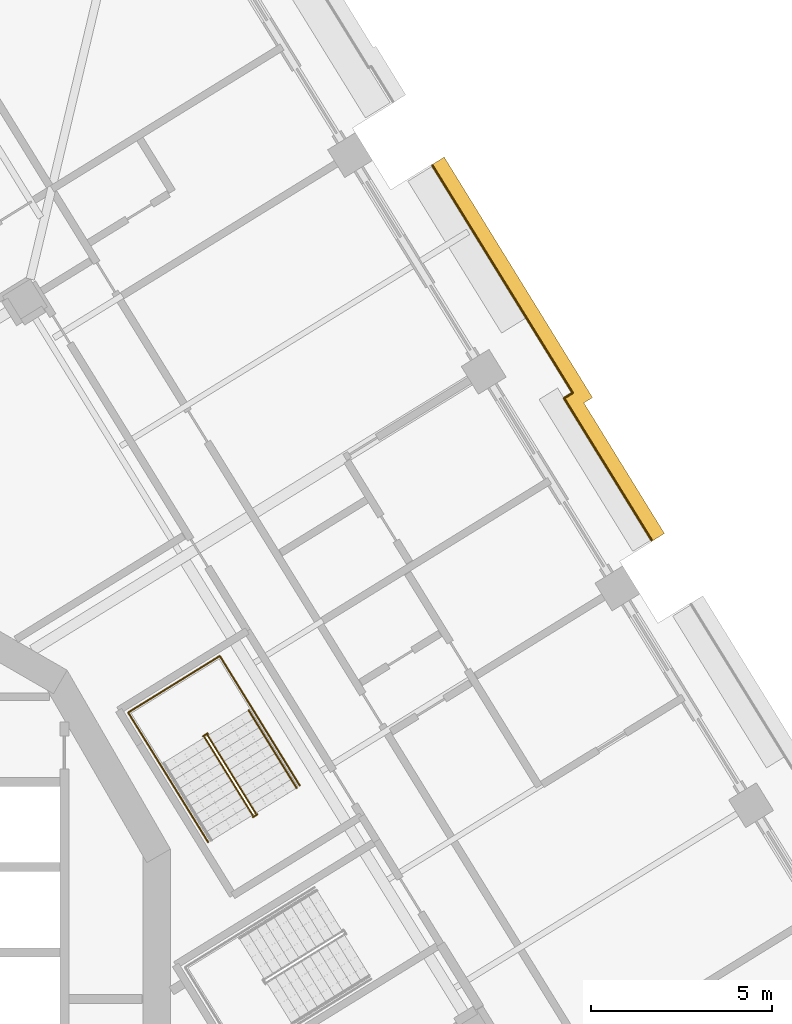
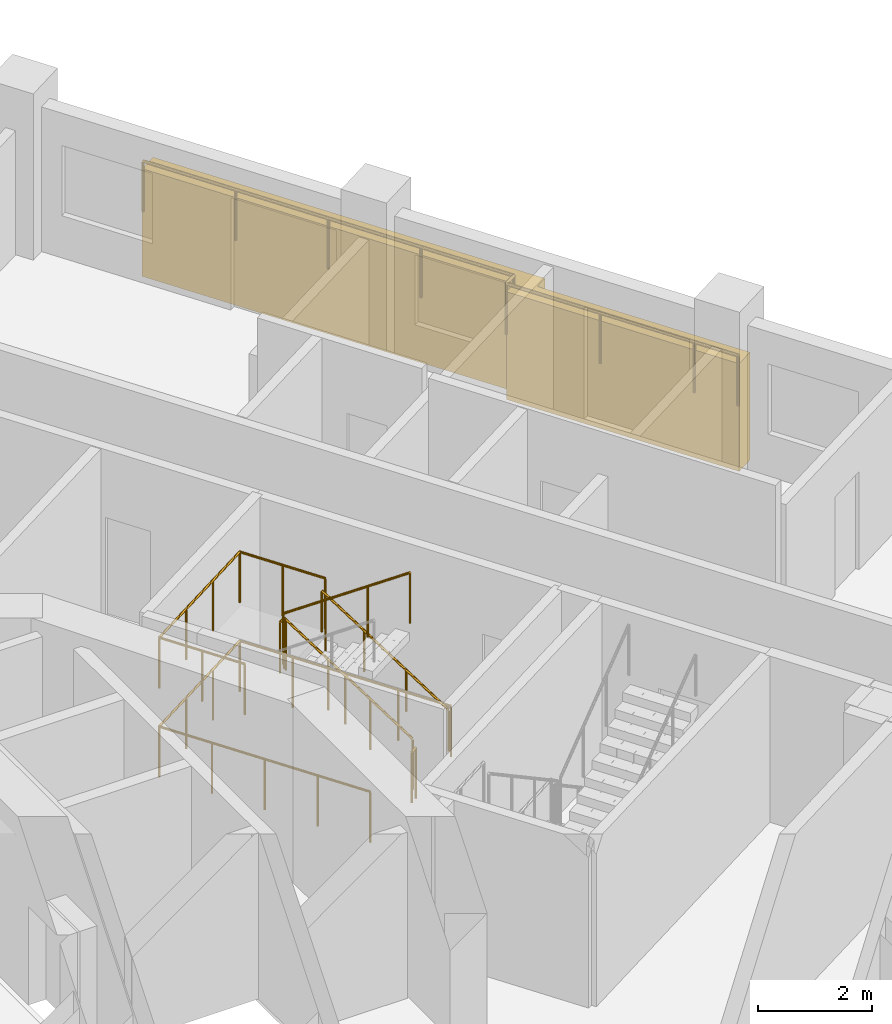
# One storey, part 19 of 21: 8 railings, 1 covering.
"""IFC4 building model written with IfcOpenShell, lengths in metres."""

import ifcopenshell
import ifcopenshell.guid

model = None  # the IFC model being written
_history = None  # IfcOwnerHistory: only IFC2X3 demands one
_inside = {}  # id of a spatial element -> (the spatial element, [elements in it])
_under = {}  # id of a project, library or spatial element -> (it, [spatial elements below it])
_declared = {}  # id of a project -> (the project, [libraries it declares])
_typed = {}  # id of a type object -> (the type object, [elements of that type])
_made_of = {}  # id of a material, layer set ... -> (it, [elements and type objects made of it])


def new_model(schema):
    """Start an empty IFC model of exactly this schema.

    Asked for "IFC4X3", IfcOpenShell would pick the latest addendum, in which some entities
    have other attributes; the version numbers below select the first issue.
    IFC2X3 requires an IfcOwnerHistory on every rooted entity: one is made here for all.
    """
    global model, _history
    if schema == "IFC4X3":
        model = ifcopenshell.file(schema_version=(4, 3, 0, 0))
    else:
        model = ifcopenshell.file(schema=schema)
    _inside.clear()
    _under.clear()
    _declared.clear()
    _typed.clear()
    _made_of.clear()
    _history = None
    if model.schema == "IFC2X3":
        org = make("IfcOrganization", Name="unknown")
        user = make(
            "IfcPersonAndOrganization",
            ThePerson=make("IfcPerson", FamilyName="unknown"),
            TheOrganization=org,
        )
        app = make(
            "IfcApplication",
            ApplicationDeveloper=org,
            Version="unknown",
            ApplicationFullName="unknown",
            ApplicationIdentifier="unknown",
        )
        _history = make(
            "IfcOwnerHistory",
            OwningUser=user,
            OwningApplication=app,
            ChangeAction="ADDED",
            CreationDate=0,
        )
    return model


def make(cls, **values):
    """One entity of the class cls with the attributes given. An attribute that is None is left unset."""
    return model.create_entity(
        cls, **{name: value for name, value in values.items() if value is not None}
    )


def rooted(cls, **values):
    """An entity with a GlobalId (a new one), such as an element, a storey or a relation."""
    return make(cls, GlobalId=ifcopenshell.guid.new(), OwnerHistory=_history, **values)


def si_unit(unit_type, name, prefix=None):
    """IfcSIUnit, for example si_unit("LENGTHUNIT", "METRE", prefix="MILLI")."""
    return make("IfcSIUnit", UnitType=unit_type, Prefix=prefix, Name=name)


def assignment(units):
    """IfcUnitAssignment: the units of a project."""
    return None if units is None else make("IfcUnitAssignment", Units=units)


def point(xyz):
    """IfcCartesianPoint."""
    return None if xyz is None else make("IfcCartesianPoint", Coordinates=xyz)


def direction(xyz):
    """IfcDirection."""
    return None if xyz is None else make("IfcDirection", DirectionRatios=xyz)


def frame(location, z_axis=None, x_axis=None):
    """IfcAxis2Placement3D, a coordinate frame: its origin and axes. An axis left out is left unset."""
    return make(
        "IfcAxis2Placement3D",
        Location=point(location),
        Axis=direction(z_axis),
        RefDirection=direction(x_axis),
    )


def frame_2d(location, x_axis=None):
    """IfcAxis2Placement2D, a coordinate frame in the plane: its origin and x axis."""
    return make(
        "IfcAxis2Placement2D", Location=point(location), RefDirection=direction(x_axis)
    )


def origin():
    """The frame at (0, 0, 0) with its axes left unset."""
    return frame((0.0, 0.0, 0.0))


def origin_2d():
    """The frame at (0, 0) in the plane with its x axis left unset."""
    return frame_2d((0.0, 0.0))


def place(relative_to, where):
    """IfcLocalPlacement: puts the frame where relative to a parent placement (None: the world)."""
    return make(
        "IfcLocalPlacement", PlacementRelTo=relative_to, RelativePlacement=where
    )


def context(
    kind, dimensions, precision=None, world=None, true_north=None, identifier=None
):
    """IfcGeometricRepresentationContext, for example the 3D "Model" context."""
    return make(
        "IfcGeometricRepresentationContext",
        ContextIdentifier=identifier,
        ContextType=kind,
        CoordinateSpaceDimension=dimensions,
        Precision=precision,
        WorldCoordinateSystem=world,
        TrueNorth=true_north,
    )


def subcontext(parent, identifier, kind, view, scale=None):
    """IfcGeometricRepresentationSubContext, for example "Body" below "Model"."""
    return make(
        "IfcGeometricRepresentationSubContext",
        ContextIdentifier=identifier,
        ContextType=kind,
        ParentContext=parent,
        TargetScale=scale,
        TargetView=view,
    )


def project(units=None, contexts=None):
    """IfcProject with its units and contexts."""
    return rooted(
        "IfcProject",
        Name="project",
        RepresentationContexts=contexts,
        UnitsInContext=assignment(units),
    )


def spatial(cls, under=None, at=None, **own):
    """A site, building, storey or space (cls), placed at a placement, below another one or the project."""
    s = rooted(cls, ObjectPlacement=at, **own)
    if under is not None:
        _under.setdefault(under.id(), (under, []))[1].append(s)
    return s


def polyline(points):
    """IfcPolyline through the points."""
    return make("IfcPolyline", Points=[point(p) for p in points])


def profile(cls, at=None, kind="AREA", **sizes):
    """A parametric profile (cls). Its sizes go by their IFC names, for example OverallWidth=200.0."""
    return make(cls, ProfileType=kind, Position=at, **sizes)


def circle(**sizes):
    """IfcCircleProfileDef."""
    return profile("IfcCircleProfileDef", **sizes)


def outline(outer, holes=None, kind="AREA"):
    """IfcArbitraryClosedProfileDef: a profile drawn as a closed curve; with holes, ...WithVoids."""
    if holes is None:
        return make("IfcArbitraryClosedProfileDef", ProfileType=kind, OuterCurve=outer)
    return make(
        "IfcArbitraryProfileDefWithVoids",
        ProfileType=kind,
        OuterCurve=outer,
        InnerCurves=holes,
    )


def extrude(swept, where, along, depth):
    """IfcExtrudedAreaSolid: the profile swept, set in the frame where, extruded along a direction by depth."""
    return make(
        "IfcExtrudedAreaSolid",
        SweptArea=swept,
        Position=where,
        ExtrudedDirection=direction(along),
        Depth=depth,
    )


def shape(context_of_items, identifier, shape_type, items):
    """IfcShapeRepresentation: the items that make up one representation, for example the "Body"."""
    return make(
        "IfcShapeRepresentation",
        ContextOfItems=context_of_items,
        RepresentationIdentifier=identifier,
        RepresentationType=shape_type,
        Items=items,
    )


def material(Name=None, Category=None):
    """IfcMaterial."""
    return make("IfcMaterial", Name=Name, Category=Category)


def made_of(thing, what):
    """Note that an element or type object is made of a material, layer set ...; save() writes the relation."""
    if what is not None:
        _made_of.setdefault(what.id(), (what, []))[1].append(thing)
    return thing


def type_object(cls, material=None, **own):
    """A type object (cls), such as IfcWallType, which elements share."""
    return made_of(rooted(cls, **own), material)


def element(
    cls,
    number,
    at=None,
    inside=None,
    cuts=None,
    type_object=None,
    material=None,
    context=None,
    identifier="Body",
    shape_type=None,
    held_by="IfcProductDefinitionShape",
    body=None,
    shapes=None,
    **own,
):
    """One element of the class cls, such as IfcWall. Its Tag is "e" and its number.

    at: its placement. inside: the storey or other place that contains it. cuts: it is an
    opening in that element (IfcRelVoidsElement). A single representation is given by context,
    identifier, shape_type and body (its items); several are given by shapes. held_by: the class
    of the entity that holds the representations. save() writes the other relations.
    """
    e = rooted(cls, Tag="e%d" % number, ObjectPlacement=at, **own)
    if body is not None:
        shapes = [shape(context, identifier, shape_type, body)]
    if shapes is not None:
        e.Representation = make(held_by, Representations=shapes)
    if inside is not None:
        _inside.setdefault(inside.id(), (inside, []))[1].append(e)
    if cuts is not None:
        rooted(
            "IfcRelVoidsElement", RelatingBuildingElement=cuts, RelatedOpeningElement=e
        )
    if type_object is not None:
        _typed.setdefault(type_object.id(), (type_object, []))[1].append(e)
    return made_of(e, material)


def aggregate(whole, parts):
    """IfcRelAggregates: a whole, such as a stair, and the parts it consists of."""
    return rooted("IfcRelAggregates", RelatingObject=whole, RelatedObjects=parts)


def save(model, path):
    """Write the relations noted so far, then the file.

    IfcRelAggregates (storeys below a building ...), IfcRelContainedInSpatialStructure (elements
    in a storey), IfcRelDefinesByType, IfcRelAssociatesMaterial and IfcRelDeclares: one each for
    every whole, place, type object, material and project.
    """
    for whole, parts in _under.values():
        aggregate(whole, parts)
    for where, things in _inside.values():
        rooted(
            "IfcRelContainedInSpatialStructure",
            RelatedElements=things,
            RelatingStructure=where,
        )
    for kind, things in _typed.values():
        rooted("IfcRelDefinesByType", RelatedObjects=things, RelatingType=kind)
    for what, things in _made_of.values():
        rooted("IfcRelAssociatesMaterial", RelatedObjects=things, RelatingMaterial=what)
    for by, libraries in _declared.values():
        rooted("IfcRelDeclares", RelatingContext=by, RelatedDefinitions=libraries)
    model.write(path)


model = new_model("IFC4")

# Units and contexts
model_context = context("Model", 3, precision=1e-05, world=origin(), true_north=direction((0.0, 1.0)))
body_context = subcontext(model_context, "Body", "Model", "MODEL_VIEW")
ifc_project = project(units=[si_unit("LENGTHUNIT", "METRE"), si_unit("AREAUNIT", "SQUARE_METRE"), si_unit("VOLUMEUNIT", "CUBIC_METRE"), si_unit("PLANEANGLEUNIT", "RADIAN"), si_unit("MASSUNIT", "GRAM", prefix="KILO")], contexts=[model_context])

# Site, building, storey
site_placement = place(None, origin())
site = spatial("IfcSite", under=ifc_project, at=site_placement, CompositionType="ELEMENT")
building_placement = place(site_placement, origin())
building = spatial("IfcBuilding", under=site, at=building_placement, Name="Cantera Rosa Tower", CompositionType="ELEMENT")
storey_placement = place(building_placement, frame((0.0, 0.0, 170.39990234375)))
storey = spatial("IfcBuildingStorey", under=building, at=storey_placement, Name="L37", CompositionType="ELEMENT", Elevation=170.39990234375)

# Railings
ifc_material_1 = material(Name="Stainless steel and laminated glass", Category="steel")
railing_type_1 = type_object("IfcRailingType", Name="GUARD 1100", PredefinedType="BALUSTRADE", material=ifc_material_1)
railing_1_placement = place(storey_placement, frame((21.7138671875, 15.426513671875, 0.0)))
element("IfcRailing", 1, at=railing_1_placement, inside=storey, type_object=railing_type_1, Name="GUARD L37-11", PredefinedType="BALUSTRADE", context=body_context, shape_type="SweptSolid", body=[
    extrude(circle(Radius=0.030029296875, at=origin_2d()), frame((0.0, 0.0, 1.070068359375), z_axis=(-0.850637179095, -0.525753164081, 0.0), x_axis=(0.525753164081, -0.850637179095, 0.0)), (0.0, 0.0, 1.0), 0.279541015625),
    extrude(circle(Radius=0.030029296875, at=origin_2d()), frame((-0.23779296875, -0.14697265625, 1.070068359375), z_axis=(0.524949392949, -0.851133441267, 0.0), x_axis=(0.851133441267, 0.524949392949, 0.0)), (0.0, 0.0, 1.0), 3.740234375),
    extrude(circle(Radius=0.030029296875, at=origin_2d()), frame((1.7255859375, -3.330322265625, 1.070068359375), z_axis=(0.525020841331, -0.851089370259, 0.0), x_axis=(0.851089370259, 0.525020841331, 0.0)), (0.0, 0.0, 1.0), 0.8701171875),
    extrude(circle(Radius=0.02490234375, at=origin_2d()), origin(), (0.0, 0.0, 1.0), 1.0400390625),
    extrude(circle(Radius=0.02490234375, at=origin_2d()), frame((-0.23779296875, -0.14697265625, 0.0)), (0.0, 0.0, 1.0), 1.0400390625),
    extrude(circle(Radius=0.02490234375, at=origin_2d()), frame((0.743896484375, -1.73876953125, 0.0)), (0.0, 0.0, 1.0), 1.0400390625),
    extrude(circle(Radius=0.02490234375, at=origin_2d()), frame((1.7255859375, -3.330322265625, 0.0)), (0.0, 0.0, 1.0), 1.0400390625),
    extrude(circle(Radius=0.02490234375, at=origin_2d()), frame((2.182373046875, -4.07080078125, 0.0)), (0.0, 0.0, 1.0), 1.0400390625),
])
railing_2_placement = place(storey_placement, frame((17.844970703125, 21.69873046875, 0.0)))
element("IfcRailing", 2, at=railing_2_placement, inside=storey, type_object=railing_type_1, Name="GUARD L37-12", PredefinedType="BALUSTRADE", context=body_context, shape_type="SweptSolid", body=[
    extrude(circle(Radius=0.030029296875, at=origin_2d()), frame((0.0, 0.0, 1.070068359375), z_axis=(0.524989905381, -0.851108453282, 0.0), x_axis=(0.851108453282, 0.524989905381, 0.0)), (0.0, 0.0, 1.0), 7.369384765625),
    extrude(circle(Radius=0.02490234375, at=origin_2d()), origin(), (0.0, 0.0, 1.0), 1.0400390625),
    extrude(circle(Radius=0.02490234375, at=origin_2d()), frame((0.96728515625, -1.568115234375, 0.0)), (0.0, 0.0, 1.0), 1.0400390625),
    extrude(circle(Radius=0.02490234375, at=origin_2d()), frame((1.9345703125, -3.13623046875, 0.0)), (0.0, 0.0, 1.0), 1.0400390625),
    extrude(circle(Radius=0.02490234375, at=origin_2d()), frame((2.901611328125, -4.7041015625, 0.0)), (0.0, 0.0, 1.0), 1.0400390625),
    extrude(circle(Radius=0.02490234375, at=origin_2d()), frame((3.868896484375, -6.272216796875, 0.0)), (0.0, 0.0, 1.0), 1.0400390625),
])
ifc_material_2 = material(Name="Steel S355J2 (EN 10025-2)", Category="steel")
railing_type_2 = type_object("IfcRailingType", Name="STAIR GUARD 1100", PredefinedType="GUARDRAIL", material=ifc_material_2)
railing_3_placement = place(storey_placement, frame((12.9765625, 3.834228515625, 0.190185546875)))
element("IfcRailing", 3, at=railing_3_placement, inside=storey, type_object=railing_type_2, Name="L37 ST-31 stair guard 1", PredefinedType="GUARDRAIL", context=body_context, shape_type="SweptSolid", body=[
    extrude(circle(Radius=0.02392578125, at=origin_2d()), frame((0.0, 0.0, 1.076171875), z_axis=(-0.434362572038, 0.70429590169, 0.561512634654), x_axis=(-0.851145618652, -0.524929648476, 0.0)), (0.0, 0.0, 1.0), 3.045166015625),
    extrude(circle(Radius=0.02392578125, at=origin_2d()), frame((-1.32275390625, 2.144775390625, 2.7861328125), z_axis=(-0.073711968402, 0.997279572494, 0.0), x_axis=(-0.997279572494, -0.073711968402, 0.0)), (0.0, 0.0, 1.0), 0.056396484375),
    extrude(circle(Radius=0.02392578125, at=origin_2d()), frame((-1.326904296875, 2.200927734375, 2.7861328125), z_axis=(-0.851546489876, -0.524279100842, 0.0), x_axis=(0.524279100842, -0.851546489876, 0.0)), (0.0, 0.0, 1.0), 0.14990234375),
    extrude(circle(Radius=0.02099609375, at=origin_2d()), origin(), (0.0, 0.0, 1.0), 1.052001953125),
    extrude(circle(Radius=0.02099609375, at=origin_2d()), frame((-0.44091796875, 0.71484375, 0.570068359375)), (0.0, 0.0, 1.0), 1.052001953125),
    extrude(circle(Radius=0.02099609375, at=origin_2d()), frame((-0.8818359375, 1.429931640625, 1.139892578125)), (0.0, 0.0, 1.0), 1.052001953125),
    extrude(circle(Radius=0.02099609375, at=origin_2d()), frame((-1.32275390625, 2.144775390625, 1.7099609375)), (0.0, 0.0, 1.0), 1.052001953125),
    extrude(circle(Radius=0.02099609375, at=origin_2d()), frame((-1.326904296875, 2.200927734375, 1.7099609375)), (0.0, 0.0, 1.0), 1.052001953125),
    extrude(circle(Radius=0.02099609375, at=origin_2d()), frame((-1.45458984375, 2.122314453125, 1.7099609375)), (0.0, 0.0, 1.0), 1.052001953125),
])
railing_4_placement = place(storey_placement, frame((11.5703125, 5.927490234375, 2.090087890625)))
element("IfcRailing", 4, at=railing_4_placement, inside=storey, type_object=railing_type_2, Name="L37 ST-31 stair guard 2", PredefinedType="GUARDRAIL", context=body_context, shape_type="SweptSolid", body=[
    extrude(circle(Radius=0.02392578125, at=origin_2d()), frame((0.0, 0.0, 1.076171875), z_axis=(0.434427613125, -0.704271375033, 0.561493080334), x_axis=(0.851102330005, 0.524999832248, 0.0)), (0.0, 0.0, 1.0), 3.04541015625),
    extrude(circle(Radius=0.02099609375, at=origin_2d()), origin(), (0.0, 0.0, 1.0), 1.052001953125),
    extrude(circle(Radius=0.02099609375, at=origin_2d()), frame((0.44091796875, -0.71484375, 0.570068359375)), (0.0, 0.0, 1.0), 1.052001953125),
    extrude(circle(Radius=0.02099609375, at=origin_2d()), frame((0.882080078125, -1.429931640625, 1.139892578125)), (0.0, 0.0, 1.0), 1.052001953125),
    extrude(circle(Radius=0.02099609375, at=origin_2d()), frame((1.322998046875, -2.144775390625, 1.7099609375)), (0.0, 0.0, 1.0), 1.052001953125),
])
railing_5_placement = place(storey_placement, frame((13.025146484375, 3.80517578125, 0.0)))
element("IfcRailing", 5, at=railing_5_placement, inside=storey, type_object=railing_type_2, Name="L37 ST-31 stair guard 3", PredefinedType="GUARDRAIL", context=body_context, shape_type="SweptSolid", body=[
    extrude(circle(Radius=0.02392578125, at=origin_2d()), frame((0.0, 0.0, 1.076171875), z_axis=(-0.851546489876, -0.524279100842, 0.0), x_axis=(0.524279100842, -0.851546489876, 0.0)), (0.0, 0.0, 1.0), 0.14990234375),
    extrude(circle(Radius=0.02099609375, at=origin_2d()), origin(), (0.0, 0.0, 1.0), 1.052001953125),
    extrude(circle(Radius=0.02099609375, at=origin_2d()), frame((-0.127685546875, -0.07861328125, 0.0)), (0.0, 0.0, 1.0), 1.052001953125),
])
railing_6_placement = place(storey_placement, frame((14.192626953125, 4.59814453125, 0.0)))
element("IfcRailing", 6, at=railing_6_placement, inside=storey, type_object=railing_type_2, Name="L37 ST-31 stair guard 4", PredefinedType="GUARDRAIL", context=body_context, shape_type="SweptSolid", body=[
    extrude(circle(Radius=0.02392578125, at=origin_2d()), frame((0.0, 0.0, 1.076171875), z_axis=(-0.524976478809, 0.851116735059, 0.0), x_axis=(-0.851116735059, -0.524976478809, 0.0)), (0.0, 0.0, 1.0), 4.197998046875),
    extrude(circle(Radius=0.02392578125, at=origin_2d()), frame((-2.203857421875, 3.572998046875, 1.076171875), z_axis=(-0.851132917336, -0.524950242429, 0.0), x_axis=(0.524950242429, -0.851132917336, 0.0)), (0.0, 0.0, 1.0), 2.969970703125),
    extrude(circle(Radius=0.02392578125, at=origin_2d()), frame((-4.731689453125, 2.013916015625, 1.076171875), z_axis=(0.524976478809, -0.851116735059, 0.0), x_axis=(0.851116735059, 0.524976478809, 0.0)), (0.0, 0.0, 1.0), 4.197998046875),
    extrude(circle(Radius=0.02099609375, at=origin_2d()), origin(), (0.0, 0.0, 1.0), 1.052001953125),
    extrude(circle(Radius=0.02099609375, at=origin_2d()), frame((-0.551025390625, 0.893310546875, 0.0)), (0.0, 0.0, 1.0), 1.052001953125),
    extrude(circle(Radius=0.02099609375, at=origin_2d()), frame((-1.10205078125, 1.78662109375, 0.0)), (0.0, 0.0, 1.0), 1.052001953125),
    extrude(circle(Radius=0.02099609375, at=origin_2d()), frame((-1.65283203125, 2.6796875, 0.0)), (0.0, 0.0, 1.0), 1.052001953125),
    extrude(circle(Radius=0.02099609375, at=origin_2d()), frame((-2.203857421875, 3.572998046875, 0.0)), (0.0, 0.0, 1.0), 1.052001953125),
    extrude(circle(Radius=0.02099609375, at=origin_2d()), frame((-3.04638671875, 3.05322265625, 0.0)), (0.0, 0.0, 1.0), 1.052001953125),
    extrude(circle(Radius=0.02099609375, at=origin_2d()), frame((-3.88916015625, 2.53369140625, 0.0)), (0.0, 0.0, 1.0), 1.052001953125),
    extrude(circle(Radius=0.02099609375, at=origin_2d()), frame((-4.731689453125, 2.013916015625, 0.0)), (0.0, 0.0, 1.0), 1.052001953125),
    extrude(circle(Radius=0.02099609375, at=origin_2d()), frame((-4.1806640625, 1.12060546875, 0.0)), (0.0, 0.0, 1.0), 1.052001953125),
    extrude(circle(Radius=0.02099609375, at=origin_2d()), frame((-3.6298828125, 0.2275390625, 0.0)), (0.0, 0.0, 1.0), 1.052001953125),
    extrude(circle(Radius=0.02099609375, at=origin_2d()), frame((-3.078857421875, -0.665771484375, 0.0)), (0.0, 0.0, 1.0), 1.052001953125),
    extrude(circle(Radius=0.02099609375, at=origin_2d()), frame((-2.52783203125, -1.55908203125, 0.0)), (0.0, 0.0, 1.0), 1.052001953125),
])
railing_7_placement = place(storey_placement, frame((12.88232421875, 6.72265625, 1.900146484375)))
element("IfcRailing", 7, at=railing_7_placement, inside=storey, type_object=railing_type_2, Name="L37 ST-31 stair guard 5", PredefinedType="GUARDRAIL", context=body_context, shape_type="SweptSolid", body=[
    extrude(circle(Radius=0.02392578125, at=origin_2d()), frame((0.0, 0.0, 1.076171875), z_axis=(-0.525025534833, 0.851086474909, 0.0), x_axis=(-0.851086474909, -0.525025534833, 0.0)), (0.0, 0.0, 1.0), 1.701904296875),
    extrude(circle(Radius=0.02392578125, at=origin_2d()), frame((-0.8935546875, 1.448486328125, 1.076171875), z_axis=(-0.851132917336, -0.524950242429, 0.0), x_axis=(0.524950242429, -0.851132917336, 0.0)), (0.0, 0.0, 1.0), 2.969970703125),
    extrude(circle(Radius=0.02392578125, at=origin_2d()), frame((-3.42138671875, -0.110595703125, 1.076171875), z_axis=(0.524961441845, -0.851126009811, 0.0), x_axis=(0.851126009811, 0.524961441845, 0.0)), (0.0, 0.0, 1.0), 1.7021484375),
    extrude(circle(Radius=0.02099609375, at=origin_2d()), origin(), (0.0, 0.0, 1.0), 1.052001953125),
    extrude(circle(Radius=0.02099609375, at=origin_2d()), frame((-0.44677734375, 0.72412109375, 0.0)), (0.0, 0.0, 1.0), 1.052001953125),
    extrude(circle(Radius=0.02099609375, at=origin_2d()), frame((-0.8935546875, 1.448486328125, 0.0)), (0.0, 0.0, 1.0), 1.052001953125),
    extrude(circle(Radius=0.02099609375, at=origin_2d()), frame((-1.736083984375, 0.9287109375, 0.0)), (0.0, 0.0, 1.0), 1.052001953125),
    extrude(circle(Radius=0.02099609375, at=origin_2d()), frame((-2.578857421875, 0.4091796875, 0.0)), (0.0, 0.0, 1.0), 1.052001953125),
    extrude(circle(Radius=0.02099609375, at=origin_2d()), frame((-3.42138671875, -0.110595703125, 0.0)), (0.0, 0.0, 1.0), 1.052001953125),
    extrude(circle(Radius=0.02099609375, at=origin_2d()), frame((-2.974609375, -0.8349609375, 0.0)), (0.0, 0.0, 1.0), 1.052001953125),
    extrude(circle(Radius=0.02099609375, at=origin_2d()), frame((-2.52783203125, -1.559326171875, 0.0)), (0.0, 0.0, 1.0), 1.052001953125),
])
ifc_material_3 = material(Name="Steel S355J2 (EN 10025-2)", Category="steel")
railing_type_3 = type_object("IfcRailingType", Name="STAIR HANDRAIL 900", PredefinedType="HANDRAIL", material=ifc_material_3)
railing_8_placement = place(storey_placement, frame((14.105224609375, 4.5302734375, 0.190185546875)))
element("IfcRailing", 8, at=railing_8_placement, inside=storey, type_object=railing_type_3, Name="L37 ST-31 stair handrail 1", PredefinedType="HANDRAIL", context=body_context, shape_type="SweptSolid", body=[
    extrude(circle(Radius=0.02392578125, at=origin_2d()), frame((0.0, 0.0, 0.8759765625), z_axis=(-0.434427613125, 0.704271375033, 0.561493080334), x_axis=(-0.851102330005, -0.524999832248, 0.0)), (0.0, 0.0, 1.0), 3.04541015625),
    extrude(circle(Radius=0.02099609375, at=origin_2d()), origin(), (0.0, 0.0, 1.0), 0.851806640625),
    extrude(circle(Radius=0.02099609375, at=origin_2d()), frame((-0.44091796875, 0.71484375, 0.570068359375)), (0.0, 0.0, 1.0), 0.851806640625),
    extrude(circle(Radius=0.02099609375, at=origin_2d()), frame((-0.882080078125, 1.429931640625, 1.139892578125)), (0.0, 0.0, 1.0), 0.851806640625),
    extrude(circle(Radius=0.02099609375, at=origin_2d()), frame((-1.322998046875, 2.144775390625, 1.7099609375)), (0.0, 0.0, 1.0), 0.851806640625),
])

# Covering
ifc_material_4 = material(Name="Cantera stone", Category="masonry")
covering_type = type_object("IfcCoveringType", Name="TRAY FASCIA 400", PredefinedType="CLADDING", material=ifc_material_4)
covering_placement = place(storey_placement, frame((0.0, 0.0, -1.39990234375)))
element("IfcCovering", 9, at=covering_placement, inside=storey, type_object=covering_type, Name="TRAY FASCIA L37-05", PredefinedType="CLADDING", context=body_context, shape_type="SweptSolid", body=[
    extrude(outline(polyline([(22.264404296875, 15.2958984375), (22.0263671875, 15.149169921875), (23.780029296875, 12.30615234375), (24.247314453125, 11.548583984375), (23.90673828125, 11.338623046875), (23.439453125, 12.09619140625), (21.47607421875, 15.279541015625), (21.7138671875, 15.426513671875), (17.83447265625, 21.7158203125), (18.175048828125, 21.92578125), (22.264404296875, 15.2958984375)])), origin(), (0.0, 0.0, 1.0), 2.300048828125),
])

save(model, "model.ifc")
